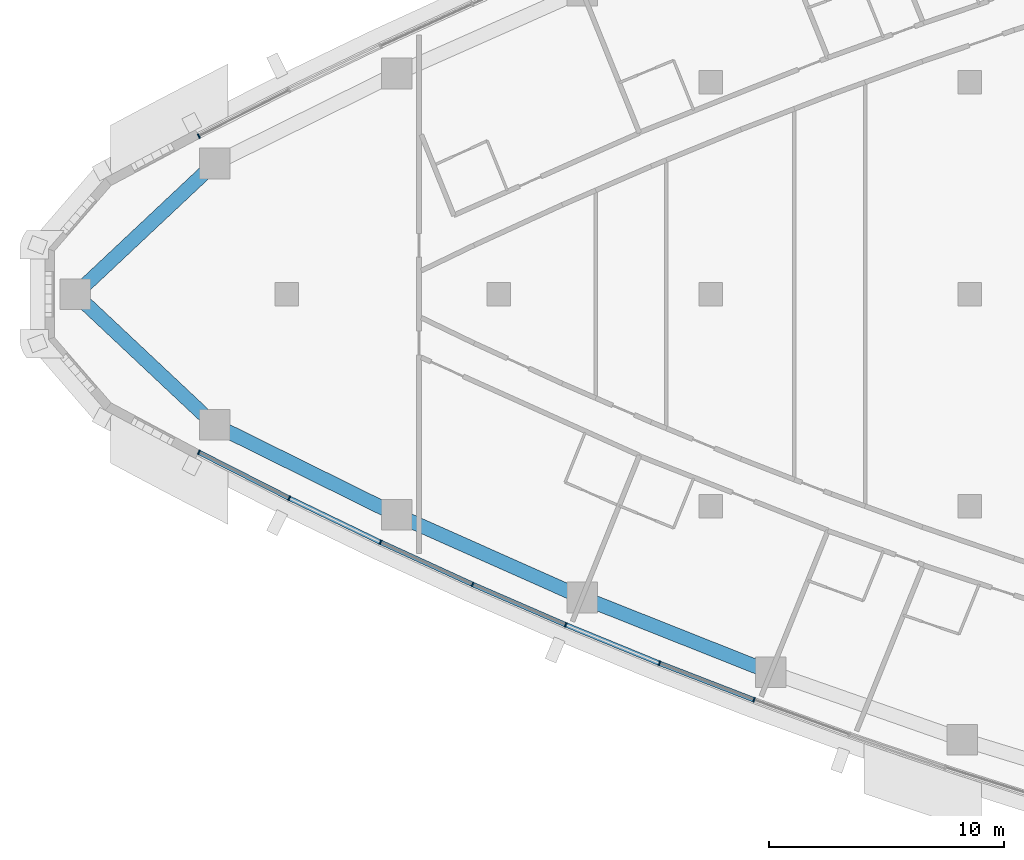
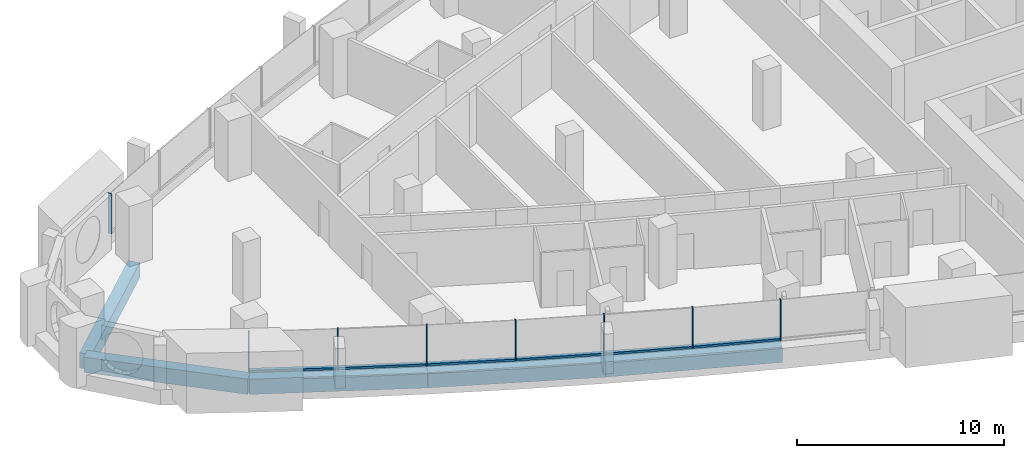
# One storey, part 2 of 17: 14 members, 5 beams, 4 elements without a shape of their own.
"""IFC4 building model written with IfcOpenShell, lengths in metres."""

import ifcopenshell
import ifcopenshell.guid

model = None  # the IFC model being written
_history = None  # IfcOwnerHistory: only IFC2X3 demands one
_inside = {}  # id of a spatial element -> (the spatial element, [elements in it])
_under = {}  # id of a project, library or spatial element -> (it, [spatial elements below it])
_declared = {}  # id of a project -> (the project, [libraries it declares])
_typed = {}  # id of a type object -> (the type object, [elements of that type])
_made_of = {}  # id of a material, layer set ... -> (it, [elements and type objects made of it])


def new_model(schema):
    """Start an empty IFC model of exactly this schema.

    Asked for "IFC4X3", IfcOpenShell would pick the latest addendum, in which some entities
    have other attributes; the version numbers below select the first issue.
    IFC2X3 requires an IfcOwnerHistory on every rooted entity: one is made here for all.
    """
    global model, _history
    if schema == "IFC4X3":
        model = ifcopenshell.file(schema_version=(4, 3, 0, 0))
    else:
        model = ifcopenshell.file(schema=schema)
    _inside.clear()
    _under.clear()
    _declared.clear()
    _typed.clear()
    _made_of.clear()
    _history = None
    if model.schema == "IFC2X3":
        org = make("IfcOrganization", Name="unknown")
        user = make(
            "IfcPersonAndOrganization",
            ThePerson=make("IfcPerson", FamilyName="unknown"),
            TheOrganization=org,
        )
        app = make(
            "IfcApplication",
            ApplicationDeveloper=org,
            Version="unknown",
            ApplicationFullName="unknown",
            ApplicationIdentifier="unknown",
        )
        _history = make(
            "IfcOwnerHistory",
            OwningUser=user,
            OwningApplication=app,
            ChangeAction="ADDED",
            CreationDate=0,
        )
    return model


def make(cls, **values):
    """One entity of the class cls with the attributes given. An attribute that is None is left unset."""
    return model.create_entity(
        cls, **{name: value for name, value in values.items() if value is not None}
    )


def rooted(cls, **values):
    """An entity with a GlobalId (a new one), such as an element, a storey or a relation."""
    return make(cls, GlobalId=ifcopenshell.guid.new(), OwnerHistory=_history, **values)


def si_unit(unit_type, name, prefix=None):
    """IfcSIUnit, for example si_unit("LENGTHUNIT", "METRE", prefix="MILLI")."""
    return make("IfcSIUnit", UnitType=unit_type, Prefix=prefix, Name=name)


def assignment(units):
    """IfcUnitAssignment: the units of a project."""
    return None if units is None else make("IfcUnitAssignment", Units=units)


def point(xyz):
    """IfcCartesianPoint."""
    return None if xyz is None else make("IfcCartesianPoint", Coordinates=xyz)


def direction(xyz):
    """IfcDirection."""
    return None if xyz is None else make("IfcDirection", DirectionRatios=xyz)


def frame(location, z_axis=None, x_axis=None):
    """IfcAxis2Placement3D, a coordinate frame: its origin and axes. An axis left out is left unset."""
    return make(
        "IfcAxis2Placement3D",
        Location=point(location),
        Axis=direction(z_axis),
        RefDirection=direction(x_axis),
    )


def frame_2d(location, x_axis=None):
    """IfcAxis2Placement2D, a coordinate frame in the plane: its origin and x axis."""
    return make(
        "IfcAxis2Placement2D", Location=point(location), RefDirection=direction(x_axis)
    )


def origin():
    """The frame at (0, 0, 0) with its axes left unset."""
    return frame((0.0, 0.0, 0.0))


def origin_2d():
    """The frame at (0, 0) in the plane with its x axis left unset."""
    return frame_2d((0.0, 0.0))


def place(relative_to, where):
    """IfcLocalPlacement: puts the frame where relative to a parent placement (None: the world)."""
    return make(
        "IfcLocalPlacement", PlacementRelTo=relative_to, RelativePlacement=where
    )


def context(
    kind, dimensions, precision=None, world=None, true_north=None, identifier=None
):
    """IfcGeometricRepresentationContext, for example the 3D "Model" context."""
    return make(
        "IfcGeometricRepresentationContext",
        ContextIdentifier=identifier,
        ContextType=kind,
        CoordinateSpaceDimension=dimensions,
        Precision=precision,
        WorldCoordinateSystem=world,
        TrueNorth=true_north,
    )


def subcontext(parent, identifier, kind, view, scale=None):
    """IfcGeometricRepresentationSubContext, for example "Body" below "Model"."""
    return make(
        "IfcGeometricRepresentationSubContext",
        ContextIdentifier=identifier,
        ContextType=kind,
        ParentContext=parent,
        TargetScale=scale,
        TargetView=view,
    )


def project(units=None, contexts=None):
    """IfcProject with its units and contexts."""
    return rooted(
        "IfcProject",
        Name="project",
        RepresentationContexts=contexts,
        UnitsInContext=assignment(units),
    )


def spatial(cls, under=None, at=None, **own):
    """A site, building, storey or space (cls), placed at a placement, below another one or the project."""
    s = rooted(cls, ObjectPlacement=at, **own)
    if under is not None:
        _under.setdefault(under.id(), (under, []))[1].append(s)
    return s


def profile(cls, at=None, kind="AREA", **sizes):
    """A parametric profile (cls). Its sizes go by their IFC names, for example OverallWidth=200.0."""
    return make(cls, ProfileType=kind, Position=at, **sizes)


def rectangle(**sizes):
    """IfcRectangleProfileDef."""
    return profile("IfcRectangleProfileDef", **sizes)


def extrude(swept, where, along, depth):
    """IfcExtrudedAreaSolid: the profile swept, set in the frame where, extruded along a direction by depth."""
    return make(
        "IfcExtrudedAreaSolid",
        SweptArea=swept,
        Position=where,
        ExtrudedDirection=direction(along),
        Depth=depth,
    )


def shape(context_of_items, identifier, shape_type, items):
    """IfcShapeRepresentation: the items that make up one representation, for example the "Body"."""
    return make(
        "IfcShapeRepresentation",
        ContextOfItems=context_of_items,
        RepresentationIdentifier=identifier,
        RepresentationType=shape_type,
        Items=items,
    )


def material(Name=None, Category=None):
    """IfcMaterial."""
    return make("IfcMaterial", Name=Name, Category=Category)


def layer(
    of_material, thickness, ventilated=None, Name=None, Category=None, Priority=None
):
    """IfcMaterialLayer: one layer of a wall or slab, of a material (None: an air gap)."""
    return make(
        "IfcMaterialLayer",
        Material=of_material,
        LayerThickness=thickness,
        IsVentilated=ventilated,
        Name=Name,
        Category=Category,
        Priority=Priority,
    )


def layer_set(layers, Name=None):
    """IfcMaterialLayerSet."""
    return make("IfcMaterialLayerSet", MaterialLayers=layers, LayerSetName=Name)


def material_profile(
    of_material, cross_section, Name=None, Category=None, Priority=None
):
    """IfcMaterialProfile: a cross section and its material."""
    return make(
        "IfcMaterialProfile",
        Name=Name,
        Material=of_material,
        Profile=cross_section,
        Priority=Priority,
        Category=Category,
    )


def profile_set(profiles, Name=None, composite=None):
    """IfcMaterialProfileSet."""
    return make(
        "IfcMaterialProfileSet",
        Name=Name,
        MaterialProfiles=profiles,
        CompositeProfile=composite,
    )


def made_of(thing, what):
    """Note that an element or type object is made of a material, layer set ...; save() writes the relation."""
    if what is not None:
        _made_of.setdefault(what.id(), (what, []))[1].append(thing)
    return thing


def type_object(cls, material=None, **own):
    """A type object (cls), such as IfcWallType, which elements share."""
    return made_of(rooted(cls, **own), material)


def element(
    cls,
    number,
    at=None,
    inside=None,
    cuts=None,
    type_object=None,
    material=None,
    context=None,
    identifier="Body",
    shape_type=None,
    held_by="IfcProductDefinitionShape",
    body=None,
    shapes=None,
    **own,
):
    """One element of the class cls, such as IfcWall. Its Tag is "e" and its number.

    at: its placement. inside: the storey or other place that contains it. cuts: it is an
    opening in that element (IfcRelVoidsElement). A single representation is given by context,
    identifier, shape_type and body (its items); several are given by shapes. held_by: the class
    of the entity that holds the representations. save() writes the other relations.
    """
    e = rooted(cls, Tag="e%d" % number, ObjectPlacement=at, **own)
    if body is not None:
        shapes = [shape(context, identifier, shape_type, body)]
    if shapes is not None:
        e.Representation = make(held_by, Representations=shapes)
    if inside is not None:
        _inside.setdefault(inside.id(), (inside, []))[1].append(e)
    if cuts is not None:
        rooted(
            "IfcRelVoidsElement", RelatingBuildingElement=cuts, RelatedOpeningElement=e
        )
    if type_object is not None:
        _typed.setdefault(type_object.id(), (type_object, []))[1].append(e)
    return made_of(e, material)


def aggregate(whole, parts):
    """IfcRelAggregates: a whole, such as a stair, and the parts it consists of."""
    return rooted("IfcRelAggregates", RelatingObject=whole, RelatedObjects=parts)


def save(model, path):
    """Write the relations noted so far, then the file.

    IfcRelAggregates (storeys below a building ...), IfcRelContainedInSpatialStructure (elements
    in a storey), IfcRelDefinesByType, IfcRelAssociatesMaterial and IfcRelDeclares: one each for
    every whole, place, type object, material and project.
    """
    for whole, parts in _under.values():
        aggregate(whole, parts)
    for where, things in _inside.values():
        rooted(
            "IfcRelContainedInSpatialStructure",
            RelatedElements=things,
            RelatingStructure=where,
        )
    for kind, things in _typed.values():
        rooted("IfcRelDefinesByType", RelatedObjects=things, RelatingType=kind)
    for what, things in _made_of.values():
        rooted("IfcRelAssociatesMaterial", RelatedObjects=things, RelatingMaterial=what)
    for by, libraries in _declared.values():
        rooted("IfcRelDeclares", RelatingContext=by, RelatedDefinitions=libraries)
    model.write(path)


model = new_model("IFC4")

# Units and contexts
model_context = context("Model", 3, precision=1e-05, world=origin(), true_north=direction((0.0, 1.0)))
body_context = subcontext(model_context, "Body", "Model", "MODEL_VIEW")
ifc_project = project(units=[si_unit("LENGTHUNIT", "METRE"), si_unit("AREAUNIT", "SQUARE_METRE"), si_unit("VOLUMEUNIT", "CUBIC_METRE"), si_unit("PLANEANGLEUNIT", "RADIAN"), si_unit("MASSUNIT", "GRAM", prefix="KILO")], contexts=[model_context])

# Site, building, storey
site_placement = place(None, origin())
site = spatial("IfcSite", under=ifc_project, at=site_placement, CompositionType="ELEMENT")
building_placement = place(site_placement, origin())
building = spatial("IfcBuilding", under=site, at=building_placement, Name="Ostrand Prow Hotel Tower", CompositionType="ELEMENT")
storey_placement = place(building_placement, frame((0.0, 0.0, 179.050048828125)))
storey = spatial("IfcBuildingStorey", under=building, at=storey_placement, Name="L44", CompositionType="ELEMENT", Elevation=179.050048828125)

# Beams
ifc_material_1 = material(Name="Concrete C60/75", Category="concrete")
ifc_material_profile_1 = material_profile(ifc_material_1, rectangle(XDim=0.60009765625, YDim=0.89990234375, at=origin_2d()), Name="RC 600x900")
ifc_profile_set_1 = profile_set([ifc_material_profile_1], Name="Concrete C60/75")
beam_type = type_object("IfcBeamType", Name="Edge beam 600x900 C60/75", PredefinedType="SPANDREL", material=ifc_profile_set_1)
beam_1_placement = place(storey_placement, frame((7.01708984375, 0.0, -0.75), z_axis=(0.728960507808, -0.684555752336, 0.0), x_axis=(0.684555752336, 0.728960507808, 0.0)))
element("IfcBeam", 1, at=beam_1_placement, inside=storey, type_object=beam_type, Name="Edge beam P-S1", PredefinedType="SPANDREL", context=body_context, shape_type="SweptSolid", body=[
    extrude(rectangle(XDim=0.60009765625, YDim=0.89990234375, at=origin_2d()), origin(), (0.0, 0.0, 1.0), 8.109619140625),
])
beam_2_placement = place(storey_placement, frame((12.9287109375, -5.551513671875, -0.75), z_axis=(0.896383774903, -0.443278837856, 0.0), x_axis=(0.443278837856, 0.896383774903, 0.0)))
element("IfcBeam", 2, at=beam_2_placement, inside=storey, type_object=beam_type, Name="Edge beam S1-S2", PredefinedType="SPANDREL", context=body_context, shape_type="SweptSolid", body=[
    extrude(rectangle(XDim=0.60009765625, YDim=0.89990234375, at=origin_2d()), origin(), (0.0, 0.0, 1.0), 8.62158203125),
])
for number, where, z_axis, x_axis, name in (
    (3, (20.656982421875, -9.373291015625, -0.75), (0.91364332073, -0.406516767779, 0.0), (0.406516767779, 0.91364332073, 0.0), "Edge beam S2-S3"),
    (4, (28.5341796875, -12.878173828125, -0.75), (0.929376173753, -0.36913402398, 0.0), (0.36913402398, 0.929376173753, 0.0), "Edge beam S3-S4"),
):
    element("IfcBeam", number, at=place(storey_placement, frame(where, z_axis=z_axis, x_axis=x_axis)), inside=storey, type_object=beam_type, Name=name, PredefinedType="SPANDREL", context=body_context, shape_type="SweptSolid", body=[
        extrude(rectangle(XDim=0.60009765625, YDim=0.89990234375, at=origin_2d()), origin(), (0.0, 0.0, 1.0), 8.621826171875),
    ])
beam_3_placement = place(storey_placement, frame((12.9287109375, 5.551513671875, -0.75), z_axis=(-0.728960507808, -0.684555752336, 0.0), x_axis=(0.684555752336, -0.728960507808, 0.0)))
element("IfcBeam", 5, at=beam_3_placement, inside=storey, type_object=beam_type, Name="Edge beam N6-P", PredefinedType="SPANDREL", context=body_context, shape_type="SweptSolid", body=[
    extrude(rectangle(XDim=0.60009765625, YDim=0.89990234375, at=origin_2d()), origin(), (0.0, 0.0, 1.0), 8.109619140625),
])

# Curtain wall, members
ifc_material_2 = material(Name="Insulated glass in bronze anodised frame", Category="glass")
ifc_layer = layer(ifc_material_2, 0.199951171875)
ifc_layer_set = layer_set([ifc_layer], Name="Insulated glass in bronze anodised frame")
curtain_wall_type = type_object("IfcCurtainWallType", Name="Strip curtain wall, fritted glass over bronze spandrel", PredefinedType="NOTDEFINED", material=ifc_layer_set)
curtain_wall_1_placement = place(storey_placement, origin())
curtain_wall_1 = element("IfcCurtainWall", 6, at=curtain_wall_1_placement, inside=storey, type_object=curtain_wall_type, Name="CW1 run CWS1", PredefinedType="NOTDEFINED")
ifc_material_3 = material(Name="Bronze anodised aluminium", Category="aluminium")
ifc_material_profile_2 = material_profile(ifc_material_3, rectangle(XDim=0.199951171875, YDim=0.06005859375, at=origin_2d()), Name="Mullion 60x200 bronze anodised aluminium")
ifc_profile_set_2 = profile_set([ifc_material_profile_2], Name="Bronze anodised aluminium")
member_type_1 = type_object("IfcMemberType", Name="Mullion 60x200 bronze anodised aluminium", PredefinedType="MULLION", material=ifc_profile_set_2)
member_1_placement = place(storey_placement, frame((12.255859375, -6.71240234375, 0.89990234375), z_axis=(0.0, 0.0, 1.0), x_axis=(0.452658828186, 0.891683792196, 0.0)))
member_1 = element("IfcMember", 7, at=member_1_placement, type_object=member_type_1, Name="CW1 mullion 1", PredefinedType="MULLION", context=body_context, shape_type="SweptSolid", body=[
    extrude(rectangle(XDim=0.199951171875, YDim=0.06005859375, at=origin_2d()), origin(), (0.0, 0.0, 1.0), 2.35009765625),
])
member_2_placement = place(storey_placement, frame((16.0947265625, -8.660888671875, 0.89990234375), z_axis=(0.0, 0.0, 1.0), x_axis=(0.434615027304, 0.90061633232, 0.0)))
member_2 = element("IfcMember", 8, at=member_2_placement, type_object=member_type_1, Name="CW1 mullion 2", PredefinedType="MULLION", context=body_context, shape_type="SweptSolid", body=[
    extrude(rectangle(XDim=0.199951171875, YDim=0.06005859375, at=origin_2d()), origin(), (0.0, 0.0, 1.0), 2.35009765625),
])
member_3_placement = place(storey_placement, frame((19.971923828125, -10.531982421875, 0.89990234375), z_axis=(0.0, 0.0, 1.0), x_axis=(0.434615027304, 0.90061633232, 0.0)))
member_3 = element("IfcMember", 9, at=member_3_placement, type_object=member_type_1, Name="CW1 mullion 3", PredefinedType="MULLION", context=body_context, shape_type="SweptSolid", body=[
    extrude(rectangle(XDim=0.199951171875, YDim=0.06005859375, at=origin_2d()), origin(), (0.0, 0.0, 1.0), 2.35009765625),
])

curtain_wall_2_placement = place(storey_placement, origin())
curtain_wall_2 = element("IfcCurtainWall", 10, at=curtain_wall_2_placement, inside=storey, type_object=curtain_wall_type, Name="CW1 run CWS2", PredefinedType="NOTDEFINED")
member_4_placement = place(storey_placement, frame((23.885986328125, -12.32470703125, 0.89990234375), z_axis=(0.0, 0.0, 1.0), x_axis=(0.398004671812, 0.917383388347, 0.0)))
member_4 = element("IfcMember", 11, at=member_4_placement, type_object=member_type_1, Name="CW1 mullion 2", PredefinedType="MULLION", context=body_context, shape_type="SweptSolid", body=[
    extrude(rectangle(XDim=0.199951171875, YDim=0.06005859375, at=origin_2d()), origin(), (0.0, 0.0, 1.0), 2.35009765625),
])
member_5_placement = place(storey_placement, frame((27.83544921875, -14.0380859375, 0.89990234375), z_axis=(0.0, 0.0, 1.0), x_axis=(0.398004671812, 0.917383388347, 0.0)))
member_5 = element("IfcMember", 12, at=member_5_placement, type_object=member_type_1, Name="CW1 mullion 3", PredefinedType="MULLION", context=body_context, shape_type="SweptSolid", body=[
    extrude(rectangle(XDim=0.199951171875, YDim=0.06005859375, at=origin_2d()), origin(), (0.0, 0.0, 1.0), 2.35009765625),
])

curtain_wall_3_placement = place(storey_placement, origin())
curtain_wall_3 = element("IfcCurtainWall", 13, at=curtain_wall_3_placement, inside=storey, type_object=curtain_wall_type, Name="CW1 run CWS3", PredefinedType="NOTDEFINED")
member_6_placement = place(storey_placement, frame((31.818603515625, -15.671630859375, 0.89990234375), z_axis=(0.0, 0.0, 1.0), x_axis=(0.360748970732, 0.932662950972, 0.0)))
member_6 = element("IfcMember", 14, at=member_6_placement, type_object=member_type_1, Name="CW1 mullion 2", PredefinedType="MULLION", context=body_context, shape_type="SweptSolid", body=[
    extrude(rectangle(XDim=0.199951171875, YDim=0.06005859375, at=origin_2d()), origin(), (0.0, 0.0, 1.0), 2.35009765625),
])
member_7_placement = place(storey_placement, frame((35.833740234375, -17.224609375, 0.89990234375), z_axis=(0.0, 0.0, 1.0), x_axis=(0.360748970732, 0.932662950972, 0.0)))
member_7 = element("IfcMember", 15, at=member_7_placement, type_object=member_type_1, Name="CW1 mullion 3", PredefinedType="MULLION", context=body_context, shape_type="SweptSolid", body=[
    extrude(rectangle(XDim=0.199951171875, YDim=0.06005859375, at=origin_2d()), origin(), (0.0, 0.0, 1.0), 2.35009765625),
])

# Curtain wall, member
curtain_wall_4_placement = place(storey_placement, origin())
curtain_wall_4 = element("IfcCurtainWall", 16, at=curtain_wall_4_placement, inside=storey, type_object=curtain_wall_type, Name="CW1 run CWN5", PredefinedType="NOTDEFINED")
member_8_placement = place(storey_placement, frame((12.255859375, 6.71240234375, 0.89990234375), z_axis=(0.0, 0.0, 1.0), x_axis=(0.452658828186, -0.891683792196, 0.0)))
member_8 = element("IfcMember", 17, at=member_8_placement, type_object=member_type_1, Name="CW1 mullion 3", PredefinedType="MULLION", context=body_context, shape_type="SweptSolid", body=[
    extrude(rectangle(XDim=0.199951171875, YDim=0.06005859375, at=origin_2d()), origin(), (0.0, 0.0, 1.0), 2.35009765625),
])
aggregate(curtain_wall_4, [member_8])

# Member
ifc_material_4 = material(Name="Bronze anodised aluminium", Category="aluminium")
ifc_material_profile_3 = material_profile(ifc_material_4, rectangle(XDim=0.199951171875, YDim=0.1201171875, at=origin_2d()), Name="Transom 120x200 bronze anodised aluminium")
ifc_profile_set_3 = profile_set([ifc_material_profile_3], Name="Bronze anodised aluminium")
member_type_2 = type_object("IfcMemberType", Name="Transom 120x200 bronze anodised aluminium", PredefinedType="USERDEFINED", material=ifc_profile_set_3)
member_9_placement = place(storey_placement, frame((12.28271484375, -6.725830078125, 0.9599609375), z_axis=(0.891672840777, -0.452680400526, 0.0), x_axis=(0.452680400526, 0.891672840777, 0.0)))
member_9 = element("IfcMember", 18, at=member_9_placement, type_object=member_type_2, Name="CW1 transom 1.1", ObjectType="TRANSOM", PredefinedType="USERDEFINED", context=body_context, shape_type="SweptSolid", body=[
    extrude(rectangle(XDim=0.199951171875, YDim=0.1201171875, at=origin_2d()), origin(), (0.0, 0.0, 1.0), 4.2451171875),
])

member_10_placement = place(storey_placement, frame((16.12158203125, -8.674072265625, 0.9599609375), z_axis=(0.900619174345, -0.434609137965, 0.0), x_axis=(0.434609137965, 0.900619174345, 0.0)))
member_10 = element("IfcMember", 19, at=member_10_placement, type_object=member_type_2, Name="CW1 transom 2.1", ObjectType="TRANSOM", PredefinedType="USERDEFINED", context=body_context, shape_type="SweptSolid", body=[
    extrude(rectangle(XDim=0.199951171875, YDim=0.1201171875, at=origin_2d()), origin(), (0.0, 0.0, 1.0), 4.2451171875),
])

aggregate(curtain_wall_1, [member_1, member_2, member_3, member_9, member_10])

member_11_placement = place(storey_placement, frame((19.999267578125, -10.54443359375, 0.9599609375), z_axis=(0.909159196143, -0.416448743628, 0.0), x_axis=(0.416448743628, 0.909159196143, 0.0)))
member_11 = element("IfcMember", 20, at=member_11_placement, type_object=member_type_2, Name="CW1 transom 1.1", ObjectType="TRANSOM", PredefinedType="USERDEFINED", context=body_context, shape_type="SweptSolid", body=[
    extrude(rectangle(XDim=0.199951171875, YDim=0.1201171875, at=origin_2d()), origin(), (0.0, 0.0, 1.0), 4.244873046875),
])

member_12_placement = place(storey_placement, frame((23.91357421875, -12.336669921875, 0.9599609375), z_axis=(0.917389785482, -0.397989926371, 0.0), x_axis=(0.397989926371, 0.917389785482, 0.0)))
member_12 = element("IfcMember", 21, at=member_12_placement, type_object=member_type_2, Name="CW1 transom 2.1", ObjectType="TRANSOM", PredefinedType="USERDEFINED", context=body_context, shape_type="SweptSolid", body=[
    extrude(rectangle(XDim=0.199951171875, YDim=0.1201171875, at=origin_2d()), origin(), (0.0, 0.0, 1.0), 4.244873046875),
])

aggregate(curtain_wall_2, [member_4, member_5, member_11, member_12])

member_13_placement = place(storey_placement, frame((27.863037109375, -14.049560546875, 0.9599609375), z_axis=(0.925213143858, -0.379447807258, 0.0), x_axis=(0.379447807258, 0.925213143858, 0.0)))
member_13 = element("IfcMember", 22, at=member_13_placement, type_object=member_type_2, Name="CW1 transom 1.1", ObjectType="TRANSOM", PredefinedType="USERDEFINED", context=body_context, shape_type="SweptSolid", body=[
    extrude(rectangle(XDim=0.199951171875, YDim=0.1201171875, at=origin_2d()), origin(), (0.0, 0.0, 1.0), 4.2451171875),
])

member_14_placement = place(storey_placement, frame((31.846435546875, -15.6826171875, 0.9599609375), z_axis=(0.932675482501, -0.360716570651, 0.0), x_axis=(0.360716570651, 0.932675482501, 0.0)))
member_14 = element("IfcMember", 23, at=member_14_placement, type_object=member_type_2, Name="CW1 transom 2.1", ObjectType="TRANSOM", PredefinedType="USERDEFINED", context=body_context, shape_type="SweptSolid", body=[
    extrude(rectangle(XDim=0.199951171875, YDim=0.1201171875, at=origin_2d()), origin(), (0.0, 0.0, 1.0), 4.2451171875),
])

aggregate(curtain_wall_3, [member_6, member_7, member_13, member_14])

save(model, "model.ifc")
